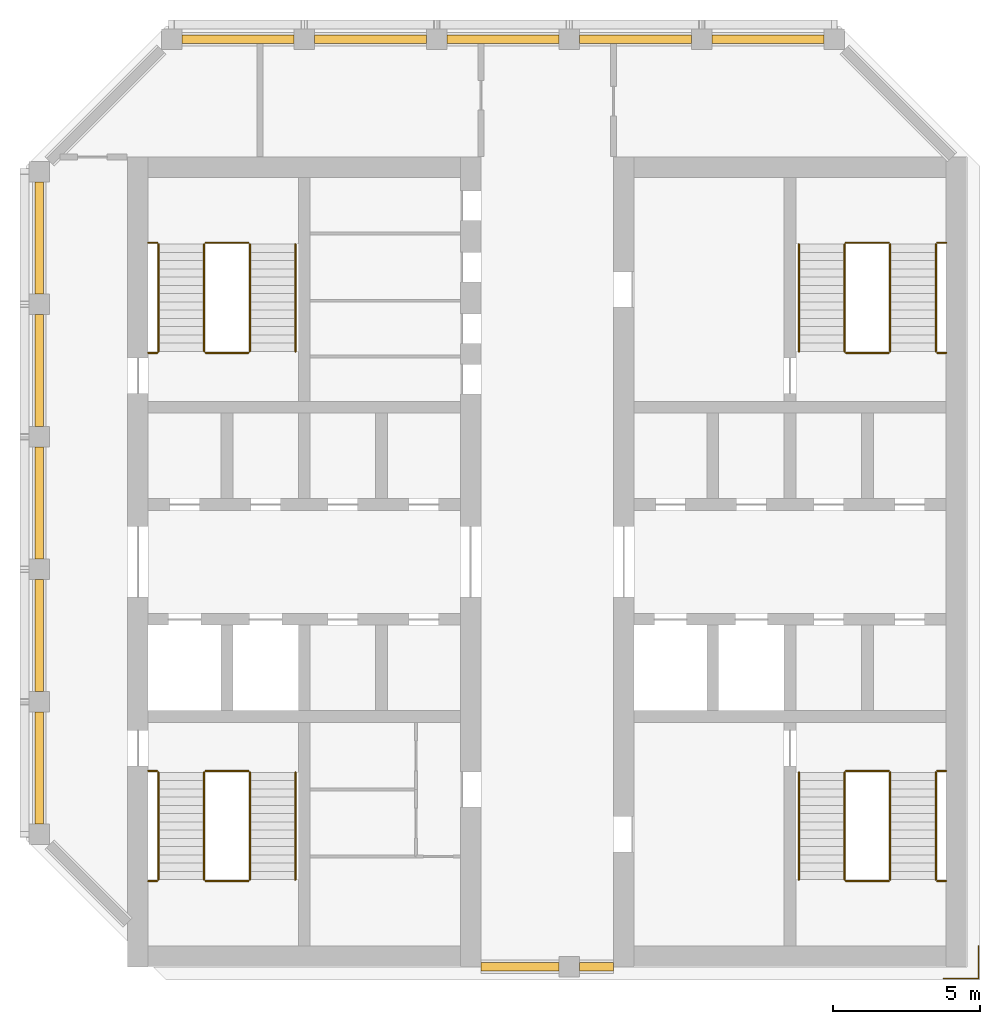
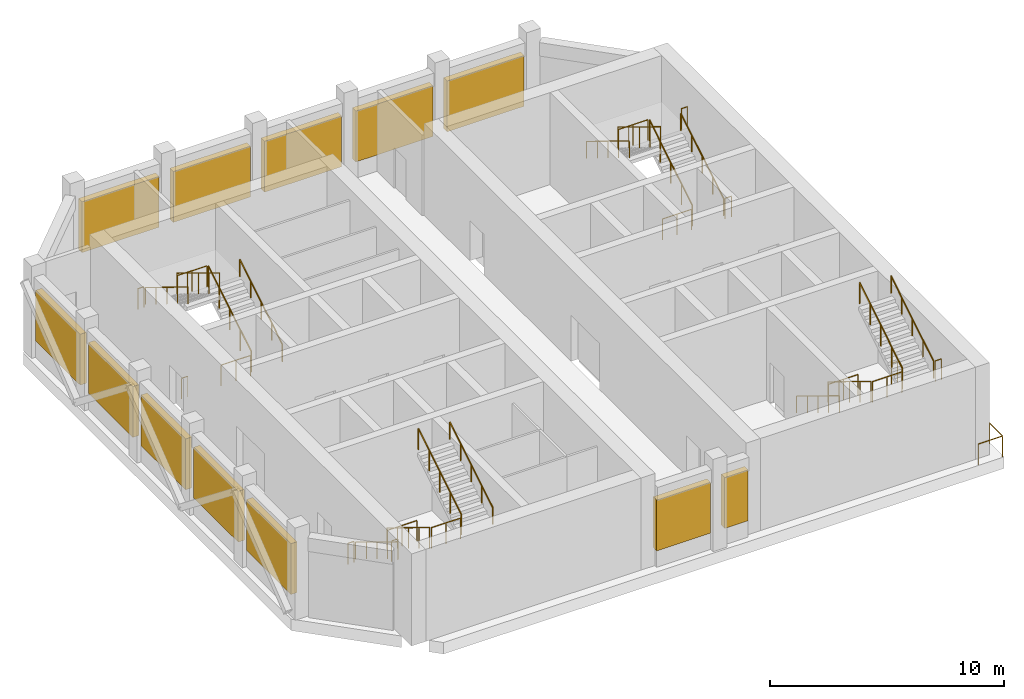
# One storey, part 6 of 6: 33 railings, 12 shading devices.
"""IFC4 building model written with IfcOpenShell, lengths in metres."""

import ifcopenshell
import ifcopenshell.guid

model = None  # the IFC model being written
_history = None  # IfcOwnerHistory: only IFC2X3 demands one
_inside = {}  # id of a spatial element -> (the spatial element, [elements in it])
_under = {}  # id of a project, library or spatial element -> (it, [spatial elements below it])
_declared = {}  # id of a project -> (the project, [libraries it declares])
_typed = {}  # id of a type object -> (the type object, [elements of that type])
_made_of = {}  # id of a material, layer set ... -> (it, [elements and type objects made of it])


def new_model(schema):
    """Start an empty IFC model of exactly this schema.

    Asked for "IFC4X3", IfcOpenShell would pick the latest addendum, in which some entities
    have other attributes; the version numbers below select the first issue.
    IFC2X3 requires an IfcOwnerHistory on every rooted entity: one is made here for all.
    """
    global model, _history
    if schema == "IFC4X3":
        model = ifcopenshell.file(schema_version=(4, 3, 0, 0))
    else:
        model = ifcopenshell.file(schema=schema)
    _inside.clear()
    _under.clear()
    _declared.clear()
    _typed.clear()
    _made_of.clear()
    _history = None
    if model.schema == "IFC2X3":
        org = make("IfcOrganization", Name="unknown")
        user = make(
            "IfcPersonAndOrganization",
            ThePerson=make("IfcPerson", FamilyName="unknown"),
            TheOrganization=org,
        )
        app = make(
            "IfcApplication",
            ApplicationDeveloper=org,
            Version="unknown",
            ApplicationFullName="unknown",
            ApplicationIdentifier="unknown",
        )
        _history = make(
            "IfcOwnerHistory",
            OwningUser=user,
            OwningApplication=app,
            ChangeAction="ADDED",
            CreationDate=0,
        )
    return model


def make(cls, **values):
    """One entity of the class cls with the attributes given. An attribute that is None is left unset."""
    return model.create_entity(
        cls, **{name: value for name, value in values.items() if value is not None}
    )


def rooted(cls, **values):
    """An entity with a GlobalId (a new one), such as an element, a storey or a relation."""
    return make(cls, GlobalId=ifcopenshell.guid.new(), OwnerHistory=_history, **values)


def si_unit(unit_type, name, prefix=None):
    """IfcSIUnit, for example si_unit("LENGTHUNIT", "METRE", prefix="MILLI")."""
    return make("IfcSIUnit", UnitType=unit_type, Prefix=prefix, Name=name)


def assignment(units):
    """IfcUnitAssignment: the units of a project."""
    return None if units is None else make("IfcUnitAssignment", Units=units)


def point(xyz):
    """IfcCartesianPoint."""
    return None if xyz is None else make("IfcCartesianPoint", Coordinates=xyz)


def direction(xyz):
    """IfcDirection."""
    return None if xyz is None else make("IfcDirection", DirectionRatios=xyz)


def frame(location, z_axis=None, x_axis=None):
    """IfcAxis2Placement3D, a coordinate frame: its origin and axes. An axis left out is left unset."""
    return make(
        "IfcAxis2Placement3D",
        Location=point(location),
        Axis=direction(z_axis),
        RefDirection=direction(x_axis),
    )


def frame_2d(location, x_axis=None):
    """IfcAxis2Placement2D, a coordinate frame in the plane: its origin and x axis."""
    return make(
        "IfcAxis2Placement2D", Location=point(location), RefDirection=direction(x_axis)
    )


def origin():
    """The frame at (0, 0, 0) with its axes left unset."""
    return frame((0.0, 0.0, 0.0))


def origin_2d():
    """The frame at (0, 0) in the plane with its x axis left unset."""
    return frame_2d((0.0, 0.0))


def place(relative_to, where):
    """IfcLocalPlacement: puts the frame where relative to a parent placement (None: the world)."""
    return make(
        "IfcLocalPlacement", PlacementRelTo=relative_to, RelativePlacement=where
    )


def context(
    kind, dimensions, precision=None, world=None, true_north=None, identifier=None
):
    """IfcGeometricRepresentationContext, for example the 3D "Model" context."""
    return make(
        "IfcGeometricRepresentationContext",
        ContextIdentifier=identifier,
        ContextType=kind,
        CoordinateSpaceDimension=dimensions,
        Precision=precision,
        WorldCoordinateSystem=world,
        TrueNorth=true_north,
    )


def subcontext(parent, identifier, kind, view, scale=None):
    """IfcGeometricRepresentationSubContext, for example "Body" below "Model"."""
    return make(
        "IfcGeometricRepresentationSubContext",
        ContextIdentifier=identifier,
        ContextType=kind,
        ParentContext=parent,
        TargetScale=scale,
        TargetView=view,
    )


def project(units=None, contexts=None):
    """IfcProject with its units and contexts."""
    return rooted(
        "IfcProject",
        Name="project",
        RepresentationContexts=contexts,
        UnitsInContext=assignment(units),
    )


def spatial(cls, under=None, at=None, **own):
    """A site, building, storey or space (cls), placed at a placement, below another one or the project."""
    s = rooted(cls, ObjectPlacement=at, **own)
    if under is not None:
        _under.setdefault(under.id(), (under, []))[1].append(s)
    return s


def profile(cls, at=None, kind="AREA", **sizes):
    """A parametric profile (cls). Its sizes go by their IFC names, for example OverallWidth=200.0."""
    return make(cls, ProfileType=kind, Position=at, **sizes)


def rectangle(**sizes):
    """IfcRectangleProfileDef."""
    return profile("IfcRectangleProfileDef", **sizes)


def circle(**sizes):
    """IfcCircleProfileDef."""
    return profile("IfcCircleProfileDef", **sizes)


def extrude(swept, where, along, depth):
    """IfcExtrudedAreaSolid: the profile swept, set in the frame where, extruded along a direction by depth."""
    return make(
        "IfcExtrudedAreaSolid",
        SweptArea=swept,
        Position=where,
        ExtrudedDirection=direction(along),
        Depth=depth,
    )


def shape(context_of_items, identifier, shape_type, items):
    """IfcShapeRepresentation: the items that make up one representation, for example the "Body"."""
    return make(
        "IfcShapeRepresentation",
        ContextOfItems=context_of_items,
        RepresentationIdentifier=identifier,
        RepresentationType=shape_type,
        Items=items,
    )


def material(Name=None, Category=None):
    """IfcMaterial."""
    return make("IfcMaterial", Name=Name, Category=Category)


def layer(
    of_material, thickness, ventilated=None, Name=None, Category=None, Priority=None
):
    """IfcMaterialLayer: one layer of a wall or slab, of a material (None: an air gap)."""
    return make(
        "IfcMaterialLayer",
        Material=of_material,
        LayerThickness=thickness,
        IsVentilated=ventilated,
        Name=Name,
        Category=Category,
        Priority=Priority,
    )


def layer_set(layers, Name=None):
    """IfcMaterialLayerSet."""
    return make("IfcMaterialLayerSet", MaterialLayers=layers, LayerSetName=Name)


def made_of(thing, what):
    """Note that an element or type object is made of a material, layer set ...; save() writes the relation."""
    if what is not None:
        _made_of.setdefault(what.id(), (what, []))[1].append(thing)
    return thing


def type_object(cls, material=None, **own):
    """A type object (cls), such as IfcWallType, which elements share."""
    return made_of(rooted(cls, **own), material)


def element(
    cls,
    number,
    at=None,
    inside=None,
    cuts=None,
    type_object=None,
    material=None,
    context=None,
    identifier="Body",
    shape_type=None,
    held_by="IfcProductDefinitionShape",
    body=None,
    shapes=None,
    **own,
):
    """One element of the class cls, such as IfcWall. Its Tag is "e" and its number.

    at: its placement. inside: the storey or other place that contains it. cuts: it is an
    opening in that element (IfcRelVoidsElement). A single representation is given by context,
    identifier, shape_type and body (its items); several are given by shapes. held_by: the class
    of the entity that holds the representations. save() writes the other relations.
    """
    e = rooted(cls, Tag="e%d" % number, ObjectPlacement=at, **own)
    if body is not None:
        shapes = [shape(context, identifier, shape_type, body)]
    if shapes is not None:
        e.Representation = make(held_by, Representations=shapes)
    if inside is not None:
        _inside.setdefault(inside.id(), (inside, []))[1].append(e)
    if cuts is not None:
        rooted(
            "IfcRelVoidsElement", RelatingBuildingElement=cuts, RelatedOpeningElement=e
        )
    if type_object is not None:
        _typed.setdefault(type_object.id(), (type_object, []))[1].append(e)
    return made_of(e, material)


def aggregate(whole, parts):
    """IfcRelAggregates: a whole, such as a stair, and the parts it consists of."""
    return rooted("IfcRelAggregates", RelatingObject=whole, RelatedObjects=parts)


def save(model, path):
    """Write the relations noted so far, then the file.

    IfcRelAggregates (storeys below a building ...), IfcRelContainedInSpatialStructure (elements
    in a storey), IfcRelDefinesByType, IfcRelAssociatesMaterial and IfcRelDeclares: one each for
    every whole, place, type object, material and project.
    """
    for whole, parts in _under.values():
        aggregate(whole, parts)
    for where, things in _inside.values():
        rooted(
            "IfcRelContainedInSpatialStructure",
            RelatedElements=things,
            RelatingStructure=where,
        )
    for kind, things in _typed.values():
        rooted("IfcRelDefinesByType", RelatedObjects=things, RelatingType=kind)
    for what, things in _made_of.values():
        rooted("IfcRelAssociatesMaterial", RelatedObjects=things, RelatingMaterial=what)
    for by, libraries in _declared.values():
        rooted("IfcRelDeclares", RelatingContext=by, RelatedDefinitions=libraries)
    model.write(path)


model = new_model("IFC4")

# Units and contexts
model_context = context("Model", 3, precision=1e-05, world=origin(), true_north=direction((0.0, 1.0)))
body_context = subcontext(model_context, "Body", "Model", "MODEL_VIEW")
ifc_project = project(units=[si_unit("LENGTHUNIT", "METRE"), si_unit("AREAUNIT", "SQUARE_METRE"), si_unit("VOLUMEUNIT", "CUBIC_METRE"), si_unit("PLANEANGLEUNIT", "RADIAN"), si_unit("MASSUNIT", "GRAM", prefix="KILO")], contexts=[model_context])

# Site, building, storey
site_placement = place(None, origin())
site = spatial("IfcSite", under=ifc_project, at=site_placement, CompositionType="ELEMENT")
building_placement = place(site_placement, origin())
building = spatial("IfcBuilding", under=site, at=building_placement, Name="Corbel Stack Research Tower", CompositionType="ELEMENT")
storey_placement = place(building_placement, frame((0.0, 0.0, 321.39990234375)))
storey = spatial("IfcBuildingStorey", under=building, at=storey_placement, Name="L72", CompositionType="ELEMENT", Elevation=321.39990234375)

# Shading devices
ifc_material_1 = material(Name="Aluminium louvre", Category="aluminium")
ifc_layer = layer(ifc_material_1, 0.300048828125)
ifc_layer_set = layer_set([ifc_layer], Name="Aluminium louvre")
shading_device_type = type_object("IfcShadingDeviceType", Name="Plant louvre 300", PredefinedType="USERDEFINED", material=ifc_layer_set)
shading_device_1_placement = place(storey_placement, frame((2.824951171875, -9.0, 0.85009765625), z_axis=(0.0, 0.0, 1.0), x_axis=(1.0, 0.0, 0.0)))
element("IfcShadingDevice", 1, at=shading_device_1_placement, inside=storey, type_object=shading_device_type, Name="Plant louvre L72-01", ObjectType="LOUVRE", PredefinedType="USERDEFINED", context=body_context, shape_type="SweptSolid", body=[
    extrude(rectangle(XDim=2.64990234375, YDim=0.300048828125, at=origin_2d()), origin(), (0.0, 0.0, 1.0), 2.64990234375),
])
shading_device_2_placement = place(storey_placement, frame((5.425048828125, -9.0, 0.85009765625), z_axis=(0.0, 0.0, 1.0), x_axis=(1.0, 0.0, 0.0)))
element("IfcShadingDevice", 2, at=shading_device_2_placement, inside=storey, type_object=shading_device_type, Name="Plant louvre L72-02", ObjectType="LOUVRE", PredefinedType="USERDEFINED", context=body_context, shape_type="SweptSolid", body=[
    extrude(rectangle(XDim=1.14990234375, YDim=0.300048828125, at=origin_2d()), origin(), (0.0, 0.0, 1.0), 2.64990234375),
])
for number, where, z_axis, x_axis, name in (
    (3, (11.25, 22.5, 0.85009765625), (0.0, 0.0, 1.0), (-1.0, 0.0, 0.0), "Plant louvre L72-04"),
    (4, (6.75, 22.5, 0.85009765625), (0.0, 0.0, 1.0), (-1.0, 0.0, 0.0), "Plant louvre L72-05"),
    (5, (2.25, 22.5, 0.85009765625), (0.0, 0.0, 1.0), (-1.0, 0.0, 0.0), "Plant louvre L72-06"),
    (6, (-2.25, 22.5, 0.85009765625), (0.0, 0.0, 1.0), (-1.0, 0.0, 0.0), "Plant louvre L72-07"),
    (7, (-6.75, 22.5, 0.85009765625), (0.0, 0.0, 1.0), (-1.0, 0.0, 0.0), "Plant louvre L72-08"),
    (8, (-13.5, 15.75, 0.85009765625), (0.0, 0.0, 1.0), (0.0, -1.0, 0.0), "Plant louvre L72-10"),
    (9, (-13.5, 11.25, 0.85009765625), (0.0, 0.0, 1.0), (0.0, -1.0, 0.0), "Plant louvre L72-11"),
    (10, (-13.5, 6.75, 0.85009765625), (0.0, 0.0, 1.0), (0.0, -1.0, 0.0), "Plant louvre L72-12"),
    (11, (-13.5, 2.25, 0.85009765625), (0.0, 0.0, 1.0), (0.0, -1.0, 0.0), "Plant louvre L72-13"),
    (12, (-13.5, -2.25, 0.85009765625), (0.0, 0.0, 1.0), (0.0, -1.0, 0.0), "Plant louvre L72-14"),
):
    element("IfcShadingDevice", number, at=place(storey_placement, frame(where, z_axis=z_axis, x_axis=x_axis)), inside=storey, type_object=shading_device_type, Name=name, ObjectType="LOUVRE", PredefinedType="USERDEFINED", context=body_context, shape_type="SweptSolid", body=[
        extrude(rectangle(XDim=3.800048828125, YDim=0.300048828125, at=origin_2d()), origin(), (0.0, 0.0, 1.0), 2.64990234375),
    ])

# Railings
ifc_material_2 = material(Name="Steel S355", Category="steel")
railing_type_1 = type_object("IfcRailingType", Name="Stair guard 1100", PredefinedType="GUARDRAIL", material=ifc_material_2)
railing_1_placement = place(storey_placement, frame((-7.89990234375, -2.39990234375, 0.171630859375)))
element("IfcRailing", 13, at=railing_1_placement, inside=storey, type_object=railing_type_1, Name="L72 ST-W1 stair guard 1", PredefinedType="GUARDRAIL", context=body_context, shape_type="SweptSolid", body=[
    extrude(circle(Radius=0.02392578125, at=origin_2d()), frame((0.0, 0.0, 1.076171875), z_axis=(0.0, -0.852865859571, 0.52213008492), x_axis=(1.0, 0.0, 0.0)), (0.0, 0.0, 1.0), 4.26806640625),
    extrude(circle(Radius=0.02099609375, at=origin_2d()), origin(), (0.0, 0.0, 1.0), 1.052001953125),
    extrude(circle(Radius=0.02099609375, at=origin_2d()), frame((0.0, -0.91015625, 0.55712890625)), (0.0, 0.0, 1.0), 1.052001953125),
    extrude(circle(Radius=0.02099609375, at=origin_2d()), frame((0.0, -1.820068359375, 1.1142578125)), (0.0, 0.0, 1.0), 1.052001953125),
    extrude(circle(Radius=0.02099609375, at=origin_2d()), frame((0.0, -2.72998046875, 1.67138671875)), (0.0, 0.0, 1.0), 1.052001953125),
    extrude(circle(Radius=0.02099609375, at=origin_2d()), frame((0.0, -3.64013671875, 2.228515625)), (0.0, 0.0, 1.0), 1.052001953125),
])
railing_2_placement = place(storey_placement, frame((-7.85009765625, -6.090087890625, 2.400146484375)))
element("IfcRailing", 14, at=railing_2_placement, inside=storey, type_object=railing_type_1, Name="L72 ST-W1 stair guard 2", PredefinedType="GUARDRAIL", context=body_context, shape_type="SweptSolid", body=[
    extrude(circle(Radius=0.02392578125, at=origin_2d()), frame((0.0, 0.0, 1.076171875), z_axis=(1.0, 0.0, 0.0), x_axis=(0.0, 1.0, 0.0)), (0.0, 0.0, 1.0), 1.4501953125),
    extrude(circle(Radius=0.02099609375, at=origin_2d()), origin(), (0.0, 0.0, 1.0), 1.052001953125),
    extrude(circle(Radius=0.02099609375, at=origin_2d()), frame((0.72509765625, 0.0, 0.0)), (0.0, 0.0, 1.0), 1.052001953125),
    extrude(circle(Radius=0.02099609375, at=origin_2d()), frame((1.4501953125, 0.0, 0.0)), (0.0, 0.0, 1.0), 1.052001953125),
])
railing_3_placement = place(storey_placement, frame((-9.800048828125, -6.090087890625, 2.400146484375)))
element("IfcRailing", 15, at=railing_3_placement, inside=storey, type_object=railing_type_1, Name="L72 ST-W1 stair guard 3", PredefinedType="GUARDRAIL", context=body_context, shape_type="SweptSolid", body=[
    extrude(circle(Radius=0.02392578125, at=origin_2d()), frame((0.0, 0.0, 1.076171875), z_axis=(1.0, 0.0, 0.0), x_axis=(0.0, 1.0, 0.0)), (0.0, 0.0, 1.0), 0.300048828125),
    extrude(circle(Radius=0.02099609375, at=origin_2d()), origin(), (0.0, 0.0, 1.0), 1.052001953125),
    extrude(circle(Radius=0.02099609375, at=origin_2d()), frame((0.300048828125, 0.0, 0.0)), (0.0, 0.0, 1.0), 1.052001953125),
])
railing_4_placement = place(storey_placement, frame((-6.35009765625, -6.0400390625, 2.571533203125)))
element("IfcRailing", 16, at=railing_4_placement, inside=storey, type_object=railing_type_1, Name="L72 ST-W1 stair guard 4", PredefinedType="GUARDRAIL", context=body_context, shape_type="SweptSolid", body=[
    extrude(circle(Radius=0.02392578125, at=origin_2d()), frame((0.0, 0.0, 1.076171875), z_axis=(0.0, 0.852865859571, 0.52213008492), x_axis=(-1.0, 0.0, 0.0)), (0.0, 0.0, 1.0), 4.26806640625),
    extrude(circle(Radius=0.02099609375, at=origin_2d()), origin(), (0.0, 0.0, 1.0), 1.052001953125),
    extrude(circle(Radius=0.02099609375, at=origin_2d()), frame((0.0, 0.91015625, 0.55712890625)), (0.0, 0.0, 1.0), 1.052001953125),
    extrude(circle(Radius=0.02099609375, at=origin_2d()), frame((0.0, 1.820068359375, 1.1142578125)), (0.0, 0.0, 1.0), 1.052001953125),
    extrude(circle(Radius=0.02099609375, at=origin_2d()), frame((0.0, 2.72998046875, 1.67138671875)), (0.0, 0.0, 1.0), 1.052001953125),
    extrude(circle(Radius=0.02099609375, at=origin_2d()), frame((0.0, 3.64013671875, 2.228515625)), (0.0, 0.0, 1.0), 1.052001953125),
])
railing_5_placement = place(storey_placement, frame((-7.85009765625, -2.35009765625, 0.0)))
element("IfcRailing", 17, at=railing_5_placement, inside=storey, type_object=railing_type_1, Name="L72 ST-W1 stair guard 5", PredefinedType="GUARDRAIL", context=body_context, shape_type="SweptSolid", body=[
    extrude(circle(Radius=0.02392578125, at=origin_2d()), frame((0.0, 0.0, 1.076171875), z_axis=(1.0, 0.0, 0.0), x_axis=(0.0, 1.0, 0.0)), (0.0, 0.0, 1.0), 1.4501953125),
    extrude(circle(Radius=0.02099609375, at=origin_2d()), origin(), (0.0, 0.0, 1.0), 1.052001953125),
    extrude(circle(Radius=0.02099609375, at=origin_2d()), frame((0.72509765625, 0.0, 0.0)), (0.0, 0.0, 1.0), 1.052001953125),
    extrude(circle(Radius=0.02099609375, at=origin_2d()), frame((1.4501953125, 0.0, 0.0)), (0.0, 0.0, 1.0), 1.052001953125),
])
railing_6_placement = place(storey_placement, frame((-9.800048828125, -2.35009765625, 0.0)))
element("IfcRailing", 18, at=railing_6_placement, inside=storey, type_object=railing_type_1, Name="L72 ST-W1 stair guard 6", PredefinedType="GUARDRAIL", context=body_context, shape_type="SweptSolid", body=[
    extrude(circle(Radius=0.02392578125, at=origin_2d()), frame((0.0, 0.0, 1.076171875), z_axis=(1.0, 0.0, 0.0), x_axis=(0.0, 1.0, 0.0)), (0.0, 0.0, 1.0), 0.300048828125),
    extrude(circle(Radius=0.02099609375, at=origin_2d()), origin(), (0.0, 0.0, 1.0), 1.052001953125),
    extrude(circle(Radius=0.02099609375, at=origin_2d()), frame((0.300048828125, 0.0, 0.0)), (0.0, 0.0, 1.0), 1.052001953125),
])
railing_7_placement = place(storey_placement, frame((-6.35009765625, 11.89990234375, 0.171630859375)))
element("IfcRailing", 19, at=railing_7_placement, inside=storey, type_object=railing_type_1, Name="L72 ST-W2 stair guard 1", PredefinedType="GUARDRAIL", context=body_context, shape_type="SweptSolid", body=[
    extrude(circle(Radius=0.02392578125, at=origin_2d()), frame((0.0, 0.0, 1.076171875), z_axis=(0.0, 0.852865859571, 0.52213008492), x_axis=(-1.0, 0.0, 0.0)), (0.0, 0.0, 1.0), 4.26806640625),
    extrude(circle(Radius=0.02099609375, at=origin_2d()), origin(), (0.0, 0.0, 1.0), 1.052001953125),
    extrude(circle(Radius=0.02099609375, at=origin_2d()), frame((0.0, 0.91015625, 0.55712890625)), (0.0, 0.0, 1.0), 1.052001953125),
    extrude(circle(Radius=0.02099609375, at=origin_2d()), frame((0.0, 1.820068359375, 1.1142578125)), (0.0, 0.0, 1.0), 1.052001953125),
    extrude(circle(Radius=0.02099609375, at=origin_2d()), frame((0.0, 2.72998046875, 1.67138671875)), (0.0, 0.0, 1.0), 1.052001953125),
    extrude(circle(Radius=0.02099609375, at=origin_2d()), frame((0.0, 3.64013671875, 2.228515625)), (0.0, 0.0, 1.0), 1.052001953125),
])
railing_8_placement = place(storey_placement, frame((-6.39990234375, 15.590087890625, 2.400146484375)))
element("IfcRailing", 20, at=railing_8_placement, inside=storey, type_object=railing_type_1, Name="L72 ST-W2 stair guard 2", PredefinedType="GUARDRAIL", context=body_context, shape_type="SweptSolid", body=[
    extrude(circle(Radius=0.02392578125, at=origin_2d()), frame((0.0, 0.0, 1.076171875), z_axis=(-1.0, 0.0, 0.0), x_axis=(0.0, -1.0, 0.0)), (0.0, 0.0, 1.0), 1.4501953125),
    extrude(circle(Radius=0.02099609375, at=origin_2d()), origin(), (0.0, 0.0, 1.0), 1.052001953125),
    extrude(circle(Radius=0.02099609375, at=origin_2d()), frame((-0.72509765625, 0.0, 0.0)), (0.0, 0.0, 1.0), 1.052001953125),
    extrude(circle(Radius=0.02099609375, at=origin_2d()), frame((-1.4501953125, 0.0, 0.0)), (0.0, 0.0, 1.0), 1.052001953125),
])
railing_9_placement = place(storey_placement, frame((-9.5, 15.590087890625, 2.400146484375)))
element("IfcRailing", 21, at=railing_9_placement, inside=storey, type_object=railing_type_1, Name="L72 ST-W2 stair guard 3", PredefinedType="GUARDRAIL", context=body_context, shape_type="SweptSolid", body=[
    extrude(circle(Radius=0.02392578125, at=origin_2d()), frame((0.0, 0.0, 1.076171875), z_axis=(-1.0, 0.0, 0.0), x_axis=(0.0, -1.0, 0.0)), (0.0, 0.0, 1.0), 0.300048828125),
    extrude(circle(Radius=0.02099609375, at=origin_2d()), origin(), (0.0, 0.0, 1.0), 1.052001953125),
    extrude(circle(Radius=0.02099609375, at=origin_2d()), frame((-0.300048828125, 0.0, 0.0)), (0.0, 0.0, 1.0), 1.052001953125),
])
railing_10_placement = place(storey_placement, frame((-7.89990234375, 15.5400390625, 2.571533203125)))
element("IfcRailing", 22, at=railing_10_placement, inside=storey, type_object=railing_type_1, Name="L72 ST-W2 stair guard 4", PredefinedType="GUARDRAIL", context=body_context, shape_type="SweptSolid", body=[
    extrude(circle(Radius=0.02392578125, at=origin_2d()), frame((0.0, 0.0, 1.076171875), z_axis=(0.0, -0.852865859571, 0.52213008492), x_axis=(1.0, 0.0, 0.0)), (0.0, 0.0, 1.0), 4.26806640625),
    extrude(circle(Radius=0.02099609375, at=origin_2d()), origin(), (0.0, 0.0, 1.0), 1.052001953125),
    extrude(circle(Radius=0.02099609375, at=origin_2d()), frame((0.0, -0.91015625, 0.55712890625)), (0.0, 0.0, 1.0), 1.052001953125),
    extrude(circle(Radius=0.02099609375, at=origin_2d()), frame((0.0, -1.820068359375, 1.1142578125)), (0.0, 0.0, 1.0), 1.052001953125),
    extrude(circle(Radius=0.02099609375, at=origin_2d()), frame((0.0, -2.72998046875, 1.67138671875)), (0.0, 0.0, 1.0), 1.052001953125),
    extrude(circle(Radius=0.02099609375, at=origin_2d()), frame((0.0, -3.64013671875, 2.228515625)), (0.0, 0.0, 1.0), 1.052001953125),
])
railing_11_placement = place(storey_placement, frame((-6.39990234375, 11.85009765625, 0.0)))
element("IfcRailing", 23, at=railing_11_placement, inside=storey, type_object=railing_type_1, Name="L72 ST-W2 stair guard 5", PredefinedType="GUARDRAIL", context=body_context, shape_type="SweptSolid", body=[
    extrude(circle(Radius=0.02392578125, at=origin_2d()), frame((0.0, 0.0, 1.076171875), z_axis=(-1.0, 0.0, 0.0), x_axis=(0.0, -1.0, 0.0)), (0.0, 0.0, 1.0), 1.4501953125),
    extrude(circle(Radius=0.02099609375, at=origin_2d()), origin(), (0.0, 0.0, 1.0), 1.052001953125),
    extrude(circle(Radius=0.02099609375, at=origin_2d()), frame((-0.72509765625, 0.0, 0.0)), (0.0, 0.0, 1.0), 1.052001953125),
    extrude(circle(Radius=0.02099609375, at=origin_2d()), frame((-1.4501953125, 0.0, 0.0)), (0.0, 0.0, 1.0), 1.052001953125),
])
railing_12_placement = place(storey_placement, frame((-9.5, 11.85009765625, 0.0)))
element("IfcRailing", 24, at=railing_12_placement, inside=storey, type_object=railing_type_1, Name="L72 ST-W2 stair guard 6", PredefinedType="GUARDRAIL", context=body_context, shape_type="SweptSolid", body=[
    extrude(circle(Radius=0.02392578125, at=origin_2d()), frame((0.0, 0.0, 1.076171875), z_axis=(-1.0, 0.0, 0.0), x_axis=(0.0, -1.0, 0.0)), (0.0, 0.0, 1.0), 0.300048828125),
    extrude(circle(Radius=0.02099609375, at=origin_2d()), origin(), (0.0, 0.0, 1.0), 1.052001953125),
    extrude(circle(Radius=0.02099609375, at=origin_2d()), frame((-0.300048828125, 0.0, 0.0)), (0.0, 0.0, 1.0), 1.052001953125),
])
railing_13_placement = place(storey_placement, frame((13.85009765625, -2.39990234375, 0.171630859375)))
element("IfcRailing", 25, at=railing_13_placement, inside=storey, type_object=railing_type_1, Name="L72 ST-E1 stair guard 1", PredefinedType="GUARDRAIL", context=body_context, shape_type="SweptSolid", body=[
    extrude(circle(Radius=0.02392578125, at=origin_2d()), frame((0.0, 0.0, 1.076171875), z_axis=(0.0, -0.852865859571, 0.52213008492), x_axis=(1.0, 0.0, 0.0)), (0.0, 0.0, 1.0), 4.26806640625),
    extrude(circle(Radius=0.02099609375, at=origin_2d()), origin(), (0.0, 0.0, 1.0), 1.052001953125),
    extrude(circle(Radius=0.02099609375, at=origin_2d()), frame((0.0, -0.91015625, 0.55712890625)), (0.0, 0.0, 1.0), 1.052001953125),
    extrude(circle(Radius=0.02099609375, at=origin_2d()), frame((0.0, -1.820068359375, 1.1142578125)), (0.0, 0.0, 1.0), 1.052001953125),
    extrude(circle(Radius=0.02099609375, at=origin_2d()), frame((0.0, -2.72998046875, 1.67138671875)), (0.0, 0.0, 1.0), 1.052001953125),
    extrude(circle(Radius=0.02099609375, at=origin_2d()), frame((0.0, -3.64013671875, 2.228515625)), (0.0, 0.0, 1.0), 1.052001953125),
])
railing_14_placement = place(storey_placement, frame((13.89990234375, -6.090087890625, 2.400146484375)))
element("IfcRailing", 26, at=railing_14_placement, inside=storey, type_object=railing_type_1, Name="L72 ST-E1 stair guard 2", PredefinedType="GUARDRAIL", context=body_context, shape_type="SweptSolid", body=[
    extrude(circle(Radius=0.02392578125, at=origin_2d()), frame((0.0, 0.0, 1.076171875), z_axis=(1.0, 0.0, 0.0), x_axis=(0.0, 1.0, 0.0)), (0.0, 0.0, 1.0), 1.4501953125),
    extrude(circle(Radius=0.02099609375, at=origin_2d()), origin(), (0.0, 0.0, 1.0), 1.052001953125),
    extrude(circle(Radius=0.02099609375, at=origin_2d()), frame((0.72509765625, 0.0, 0.0)), (0.0, 0.0, 1.0), 1.052001953125),
    extrude(circle(Radius=0.02099609375, at=origin_2d()), frame((1.4501953125, 0.0, 0.0)), (0.0, 0.0, 1.0), 1.052001953125),
])
railing_15_placement = place(storey_placement, frame((17.0, -6.090087890625, 2.400146484375)))
element("IfcRailing", 27, at=railing_15_placement, inside=storey, type_object=railing_type_1, Name="L72 ST-E1 stair guard 3", PredefinedType="GUARDRAIL", context=body_context, shape_type="SweptSolid", body=[
    extrude(circle(Radius=0.02392578125, at=origin_2d()), frame((0.0, 0.0, 1.076171875), z_axis=(1.0, 0.0, 0.0), x_axis=(0.0, 1.0, 0.0)), (0.0, 0.0, 1.0), 0.300048828125),
    extrude(circle(Radius=0.02099609375, at=origin_2d()), origin(), (0.0, 0.0, 1.0), 1.052001953125),
    extrude(circle(Radius=0.02099609375, at=origin_2d()), frame((0.300048828125, 0.0, 0.0)), (0.0, 0.0, 1.0), 1.052001953125),
])
railing_16_placement = place(storey_placement, frame((15.39990234375, -6.0400390625, 2.571533203125)))
element("IfcRailing", 28, at=railing_16_placement, inside=storey, type_object=railing_type_1, Name="L72 ST-E1 stair guard 4", PredefinedType="GUARDRAIL", context=body_context, shape_type="SweptSolid", body=[
    extrude(circle(Radius=0.02392578125, at=origin_2d()), frame((0.0, 0.0, 1.076171875), z_axis=(0.0, 0.852865859571, 0.52213008492), x_axis=(-1.0, 0.0, 0.0)), (0.0, 0.0, 1.0), 4.26806640625),
    extrude(circle(Radius=0.02099609375, at=origin_2d()), origin(), (0.0, 0.0, 1.0), 1.052001953125),
    extrude(circle(Radius=0.02099609375, at=origin_2d()), frame((0.0, 0.91015625, 0.55712890625)), (0.0, 0.0, 1.0), 1.052001953125),
    extrude(circle(Radius=0.02099609375, at=origin_2d()), frame((0.0, 1.820068359375, 1.1142578125)), (0.0, 0.0, 1.0), 1.052001953125),
    extrude(circle(Radius=0.02099609375, at=origin_2d()), frame((0.0, 2.72998046875, 1.67138671875)), (0.0, 0.0, 1.0), 1.052001953125),
    extrude(circle(Radius=0.02099609375, at=origin_2d()), frame((0.0, 3.64013671875, 2.228515625)), (0.0, 0.0, 1.0), 1.052001953125),
])
railing_17_placement = place(storey_placement, frame((13.89990234375, -2.35009765625, 0.0)))
element("IfcRailing", 29, at=railing_17_placement, inside=storey, type_object=railing_type_1, Name="L72 ST-E1 stair guard 5", PredefinedType="GUARDRAIL", context=body_context, shape_type="SweptSolid", body=[
    extrude(circle(Radius=0.02392578125, at=origin_2d()), frame((0.0, 0.0, 1.076171875), z_axis=(1.0, 0.0, 0.0), x_axis=(0.0, 1.0, 0.0)), (0.0, 0.0, 1.0), 1.4501953125),
    extrude(circle(Radius=0.02099609375, at=origin_2d()), origin(), (0.0, 0.0, 1.0), 1.052001953125),
    extrude(circle(Radius=0.02099609375, at=origin_2d()), frame((0.72509765625, 0.0, 0.0)), (0.0, 0.0, 1.0), 1.052001953125),
    extrude(circle(Radius=0.02099609375, at=origin_2d()), frame((1.4501953125, 0.0, 0.0)), (0.0, 0.0, 1.0), 1.052001953125),
])
railing_18_placement = place(storey_placement, frame((17.0, -2.35009765625, 0.0)))
element("IfcRailing", 30, at=railing_18_placement, inside=storey, type_object=railing_type_1, Name="L72 ST-E1 stair guard 6", PredefinedType="GUARDRAIL", context=body_context, shape_type="SweptSolid", body=[
    extrude(circle(Radius=0.02392578125, at=origin_2d()), frame((0.0, 0.0, 1.076171875), z_axis=(1.0, 0.0, 0.0), x_axis=(0.0, 1.0, 0.0)), (0.0, 0.0, 1.0), 0.300048828125),
    extrude(circle(Radius=0.02099609375, at=origin_2d()), origin(), (0.0, 0.0, 1.0), 1.052001953125),
    extrude(circle(Radius=0.02099609375, at=origin_2d()), frame((0.300048828125, 0.0, 0.0)), (0.0, 0.0, 1.0), 1.052001953125),
])
railing_19_placement = place(storey_placement, frame((15.39990234375, 11.89990234375, 0.171630859375)))
element("IfcRailing", 31, at=railing_19_placement, inside=storey, type_object=railing_type_1, Name="L72 ST-E2 stair guard 1", PredefinedType="GUARDRAIL", context=body_context, shape_type="SweptSolid", body=[
    extrude(circle(Radius=0.02392578125, at=origin_2d()), frame((0.0, 0.0, 1.076171875), z_axis=(0.0, 0.852865859571, 0.52213008492), x_axis=(-1.0, 0.0, 0.0)), (0.0, 0.0, 1.0), 4.26806640625),
    extrude(circle(Radius=0.02099609375, at=origin_2d()), origin(), (0.0, 0.0, 1.0), 1.052001953125),
    extrude(circle(Radius=0.02099609375, at=origin_2d()), frame((0.0, 0.91015625, 0.55712890625)), (0.0, 0.0, 1.0), 1.052001953125),
    extrude(circle(Radius=0.02099609375, at=origin_2d()), frame((0.0, 1.820068359375, 1.1142578125)), (0.0, 0.0, 1.0), 1.052001953125),
    extrude(circle(Radius=0.02099609375, at=origin_2d()), frame((0.0, 2.72998046875, 1.67138671875)), (0.0, 0.0, 1.0), 1.052001953125),
    extrude(circle(Radius=0.02099609375, at=origin_2d()), frame((0.0, 3.64013671875, 2.228515625)), (0.0, 0.0, 1.0), 1.052001953125),
])
railing_20_placement = place(storey_placement, frame((15.35009765625, 15.590087890625, 2.400146484375)))
element("IfcRailing", 32, at=railing_20_placement, inside=storey, type_object=railing_type_1, Name="L72 ST-E2 stair guard 2", PredefinedType="GUARDRAIL", context=body_context, shape_type="SweptSolid", body=[
    extrude(circle(Radius=0.02392578125, at=origin_2d()), frame((0.0, 0.0, 1.076171875), z_axis=(-1.0, 0.0, 0.0), x_axis=(0.0, -1.0, 0.0)), (0.0, 0.0, 1.0), 1.4501953125),
    extrude(circle(Radius=0.02099609375, at=origin_2d()), origin(), (0.0, 0.0, 1.0), 1.052001953125),
    extrude(circle(Radius=0.02099609375, at=origin_2d()), frame((-0.72509765625, 0.0, 0.0)), (0.0, 0.0, 1.0), 1.052001953125),
    extrude(circle(Radius=0.02099609375, at=origin_2d()), frame((-1.4501953125, 0.0, 0.0)), (0.0, 0.0, 1.0), 1.052001953125),
])
railing_21_placement = place(storey_placement, frame((17.300048828125, 15.590087890625, 2.400146484375)))
element("IfcRailing", 33, at=railing_21_placement, inside=storey, type_object=railing_type_1, Name="L72 ST-E2 stair guard 3", PredefinedType="GUARDRAIL", context=body_context, shape_type="SweptSolid", body=[
    extrude(circle(Radius=0.02392578125, at=origin_2d()), frame((0.0, 0.0, 1.076171875), z_axis=(-1.0, 0.0, 0.0), x_axis=(0.0, -1.0, 0.0)), (0.0, 0.0, 1.0), 0.300048828125),
    extrude(circle(Radius=0.02099609375, at=origin_2d()), origin(), (0.0, 0.0, 1.0), 1.052001953125),
    extrude(circle(Radius=0.02099609375, at=origin_2d()), frame((-0.300048828125, 0.0, 0.0)), (0.0, 0.0, 1.0), 1.052001953125),
])
railing_22_placement = place(storey_placement, frame((13.85009765625, 15.5400390625, 2.571533203125)))
element("IfcRailing", 34, at=railing_22_placement, inside=storey, type_object=railing_type_1, Name="L72 ST-E2 stair guard 4", PredefinedType="GUARDRAIL", context=body_context, shape_type="SweptSolid", body=[
    extrude(circle(Radius=0.02392578125, at=origin_2d()), frame((0.0, 0.0, 1.076171875), z_axis=(0.0, -0.852865859571, 0.52213008492), x_axis=(1.0, 0.0, 0.0)), (0.0, 0.0, 1.0), 4.26806640625),
    extrude(circle(Radius=0.02099609375, at=origin_2d()), origin(), (0.0, 0.0, 1.0), 1.052001953125),
    extrude(circle(Radius=0.02099609375, at=origin_2d()), frame((0.0, -0.91015625, 0.55712890625)), (0.0, 0.0, 1.0), 1.052001953125),
    extrude(circle(Radius=0.02099609375, at=origin_2d()), frame((0.0, -1.820068359375, 1.1142578125)), (0.0, 0.0, 1.0), 1.052001953125),
    extrude(circle(Radius=0.02099609375, at=origin_2d()), frame((0.0, -2.72998046875, 1.67138671875)), (0.0, 0.0, 1.0), 1.052001953125),
    extrude(circle(Radius=0.02099609375, at=origin_2d()), frame((0.0, -3.64013671875, 2.228515625)), (0.0, 0.0, 1.0), 1.052001953125),
])
railing_23_placement = place(storey_placement, frame((15.35009765625, 11.85009765625, 0.0)))
element("IfcRailing", 35, at=railing_23_placement, inside=storey, type_object=railing_type_1, Name="L72 ST-E2 stair guard 5", PredefinedType="GUARDRAIL", context=body_context, shape_type="SweptSolid", body=[
    extrude(circle(Radius=0.02392578125, at=origin_2d()), frame((0.0, 0.0, 1.076171875), z_axis=(-1.0, 0.0, 0.0), x_axis=(0.0, -1.0, 0.0)), (0.0, 0.0, 1.0), 1.4501953125),
    extrude(circle(Radius=0.02099609375, at=origin_2d()), origin(), (0.0, 0.0, 1.0), 1.052001953125),
    extrude(circle(Radius=0.02099609375, at=origin_2d()), frame((-0.72509765625, 0.0, 0.0)), (0.0, 0.0, 1.0), 1.052001953125),
    extrude(circle(Radius=0.02099609375, at=origin_2d()), frame((-1.4501953125, 0.0, 0.0)), (0.0, 0.0, 1.0), 1.052001953125),
])
railing_24_placement = place(storey_placement, frame((17.300048828125, 11.85009765625, 0.0)))
element("IfcRailing", 36, at=railing_24_placement, inside=storey, type_object=railing_type_1, Name="L72 ST-E2 stair guard 6", PredefinedType="GUARDRAIL", context=body_context, shape_type="SweptSolid", body=[
    extrude(circle(Radius=0.02392578125, at=origin_2d()), frame((0.0, 0.0, 1.076171875), z_axis=(-1.0, 0.0, 0.0), x_axis=(0.0, -1.0, 0.0)), (0.0, 0.0, 1.0), 0.300048828125),
    extrude(circle(Radius=0.02099609375, at=origin_2d()), origin(), (0.0, 0.0, 1.0), 1.052001953125),
    extrude(circle(Radius=0.02099609375, at=origin_2d()), frame((-0.300048828125, 0.0, 0.0)), (0.0, 0.0, 1.0), 1.052001953125),
])
ifc_material_3 = material(Name="Steel S355", Category="steel")
railing_type_2 = type_object("IfcRailingType", Name="Stair handrail 900", PredefinedType="HANDRAIL", material=ifc_material_3)
railing_25_placement = place(storey_placement, frame((-9.449951171875, -2.39990234375, 0.171630859375)))
element("IfcRailing", 37, at=railing_25_placement, inside=storey, type_object=railing_type_2, Name="L72 ST-W1 stair handrail 1", PredefinedType="HANDRAIL", context=body_context, shape_type="SweptSolid", body=[
    extrude(circle(Radius=0.02392578125, at=origin_2d()), frame((0.0, 0.0, 0.8759765625), z_axis=(0.0, -0.852865859571, 0.52213008492), x_axis=(1.0, 0.0, 0.0)), (0.0, 0.0, 1.0), 4.26806640625),
    extrude(circle(Radius=0.02099609375, at=origin_2d()), origin(), (0.0, 0.0, 1.0), 0.851806640625),
    extrude(circle(Radius=0.02099609375, at=origin_2d()), frame((0.0, -0.91015625, 0.55712890625)), (0.0, 0.0, 1.0), 0.851806640625),
    extrude(circle(Radius=0.02099609375, at=origin_2d()), frame((0.0, -1.820068359375, 1.1142578125)), (0.0, 0.0, 1.0), 0.851806640625),
    extrude(circle(Radius=0.02099609375, at=origin_2d()), frame((0.0, -2.72998046875, 1.67138671875)), (0.0, 0.0, 1.0), 0.851806640625),
    extrude(circle(Radius=0.02099609375, at=origin_2d()), frame((0.0, -3.64013671875, 2.228515625)), (0.0, 0.0, 1.0), 0.851806640625),
])
for number, where, name in (
    (38, (-4.800048828125, -6.0400390625, 2.571533203125), "L72 ST-W1 stair handrail 2"),
    (39, (-4.800048828125, 11.89990234375, 0.171630859375), "L72 ST-W2 stair handrail 1"),
):
    element("IfcRailing", number, at=place(storey_placement, frame(where)), inside=storey, type_object=railing_type_2, Name=name, PredefinedType="HANDRAIL", context=body_context, shape_type="SweptSolid", body=[
        extrude(circle(Radius=0.02392578125, at=origin_2d()), frame((0.0, 0.0, 0.8759765625), z_axis=(0.0, 0.852865859571, 0.52213008492), x_axis=(-1.0, 0.0, 0.0)), (0.0, 0.0, 1.0), 4.26806640625),
        extrude(circle(Radius=0.02099609375, at=origin_2d()), origin(), (0.0, 0.0, 1.0), 0.851806640625),
        extrude(circle(Radius=0.02099609375, at=origin_2d()), frame((0.0, 0.91015625, 0.55712890625)), (0.0, 0.0, 1.0), 0.851806640625),
        extrude(circle(Radius=0.02099609375, at=origin_2d()), frame((0.0, 1.820068359375, 1.1142578125)), (0.0, 0.0, 1.0), 0.851806640625),
        extrude(circle(Radius=0.02099609375, at=origin_2d()), frame((0.0, 2.72998046875, 1.67138671875)), (0.0, 0.0, 1.0), 0.851806640625),
        extrude(circle(Radius=0.02099609375, at=origin_2d()), frame((0.0, 3.64013671875, 2.228515625)), (0.0, 0.0, 1.0), 0.851806640625),
    ])
for number, where, name in (
    (40, (-9.449951171875, 15.5400390625, 2.571533203125), "L72 ST-W2 stair handrail 2"),
    (41, (12.300048828125, -2.39990234375, 0.171630859375), "L72 ST-E1 stair handrail 1"),
):
    element("IfcRailing", number, at=place(storey_placement, frame(where)), inside=storey, type_object=railing_type_2, Name=name, PredefinedType="HANDRAIL", context=body_context, shape_type="SweptSolid", body=[
        extrude(circle(Radius=0.02392578125, at=origin_2d()), frame((0.0, 0.0, 0.8759765625), z_axis=(0.0, -0.852865859571, 0.52213008492), x_axis=(1.0, 0.0, 0.0)), (0.0, 0.0, 1.0), 4.26806640625),
        extrude(circle(Radius=0.02099609375, at=origin_2d()), origin(), (0.0, 0.0, 1.0), 0.851806640625),
        extrude(circle(Radius=0.02099609375, at=origin_2d()), frame((0.0, -0.91015625, 0.55712890625)), (0.0, 0.0, 1.0), 0.851806640625),
        extrude(circle(Radius=0.02099609375, at=origin_2d()), frame((0.0, -1.820068359375, 1.1142578125)), (0.0, 0.0, 1.0), 0.851806640625),
        extrude(circle(Radius=0.02099609375, at=origin_2d()), frame((0.0, -2.72998046875, 1.67138671875)), (0.0, 0.0, 1.0), 0.851806640625),
        extrude(circle(Radius=0.02099609375, at=origin_2d()), frame((0.0, -3.64013671875, 2.228515625)), (0.0, 0.0, 1.0), 0.851806640625),
    ])
for number, where, name in (
    (42, (16.949951171875, -6.0400390625, 2.571533203125), "L72 ST-E1 stair handrail 2"),
    (43, (16.949951171875, 11.89990234375, 0.171630859375), "L72 ST-E2 stair handrail 1"),
):
    element("IfcRailing", number, at=place(storey_placement, frame(where)), inside=storey, type_object=railing_type_2, Name=name, PredefinedType="HANDRAIL", context=body_context, shape_type="SweptSolid", body=[
        extrude(circle(Radius=0.02392578125, at=origin_2d()), frame((0.0, 0.0, 0.8759765625), z_axis=(0.0, 0.852865859571, 0.52213008492), x_axis=(-1.0, 0.0, 0.0)), (0.0, 0.0, 1.0), 4.26806640625),
        extrude(circle(Radius=0.02099609375, at=origin_2d()), origin(), (0.0, 0.0, 1.0), 0.851806640625),
        extrude(circle(Radius=0.02099609375, at=origin_2d()), frame((0.0, 0.91015625, 0.55712890625)), (0.0, 0.0, 1.0), 0.851806640625),
        extrude(circle(Radius=0.02099609375, at=origin_2d()), frame((0.0, 1.820068359375, 1.1142578125)), (0.0, 0.0, 1.0), 0.851806640625),
        extrude(circle(Radius=0.02099609375, at=origin_2d()), frame((0.0, 2.72998046875, 1.67138671875)), (0.0, 0.0, 1.0), 0.851806640625),
        extrude(circle(Radius=0.02099609375, at=origin_2d()), frame((0.0, 3.64013671875, 2.228515625)), (0.0, 0.0, 1.0), 0.851806640625),
    ])
railing_26_placement = place(storey_placement, frame((12.300048828125, 15.5400390625, 2.571533203125)))
element("IfcRailing", 44, at=railing_26_placement, inside=storey, type_object=railing_type_2, Name="L72 ST-E2 stair handrail 2", PredefinedType="HANDRAIL", context=body_context, shape_type="SweptSolid", body=[
    extrude(circle(Radius=0.02392578125, at=origin_2d()), frame((0.0, 0.0, 0.8759765625), z_axis=(0.0, -0.852865859571, 0.52213008492), x_axis=(1.0, 0.0, 0.0)), (0.0, 0.0, 1.0), 4.26806640625),
    extrude(circle(Radius=0.02099609375, at=origin_2d()), origin(), (0.0, 0.0, 1.0), 0.851806640625),
    extrude(circle(Radius=0.02099609375, at=origin_2d()), frame((0.0, -0.91015625, 0.55712890625)), (0.0, 0.0, 1.0), 0.851806640625),
    extrude(circle(Radius=0.02099609375, at=origin_2d()), frame((0.0, -1.820068359375, 1.1142578125)), (0.0, 0.0, 1.0), 0.851806640625),
    extrude(circle(Radius=0.02099609375, at=origin_2d()), frame((0.0, -2.72998046875, 1.67138671875)), (0.0, 0.0, 1.0), 0.851806640625),
    extrude(circle(Radius=0.02099609375, at=origin_2d()), frame((0.0, -3.64013671875, 2.228515625)), (0.0, 0.0, 1.0), 0.851806640625),
])
ifc_material_4 = material(Name="Powder-coated steel guard", Category="steel")
railing_type_3 = type_object("IfcRailingType", Name="Steel and glass guard 1100", PredefinedType="GUARDRAIL", material=ifc_material_4)
railing_27_placement = place(storey_placement, frame((18.39990234375, -8.290771484375, 0.0)))
element("IfcRailing", 45, at=railing_27_placement, inside=storey, type_object=railing_type_3, Name="Crown corner guard L72", PredefinedType="GUARDRAIL", context=body_context, shape_type="SweptSolid", body=[
    extrude(circle(Radius=0.02392578125, at=origin_2d()), frame((0.0, 0.0, 1.076171875), z_axis=(0.0, -1.0, 0.0), x_axis=(1.0, 0.0, 0.0)), (0.0, 0.0, 1.0), 1.109130859375),
    extrude(circle(Radius=0.02392578125, at=origin_2d()), frame((0.0, -1.109130859375, 1.076171875), z_axis=(-1.0, 0.0, 0.0), x_axis=(0.0, -1.0, 0.0)), (0.0, 0.0, 1.0), 1.19091796875),
    extrude(circle(Radius=0.02099609375, at=origin_2d()), origin(), (0.0, 0.0, 1.0), 1.052001953125),
    extrude(circle(Radius=0.02099609375, at=origin_2d()), frame((0.0, -1.109130859375, 0.0)), (0.0, 0.0, 1.0), 1.052001953125),
    extrude(circle(Radius=0.02099609375, at=origin_2d()), frame((-1.19091796875, -1.109130859375, 0.0)), (0.0, 0.0, 1.0), 1.052001953125),
])

save(model, "model.ifc")
